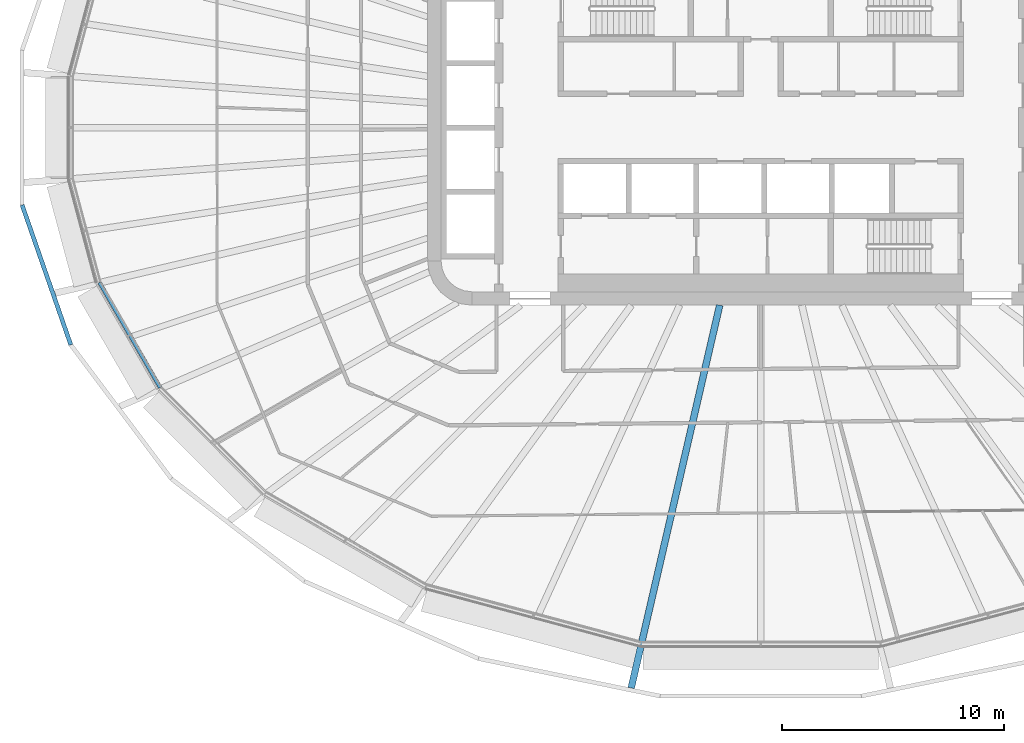
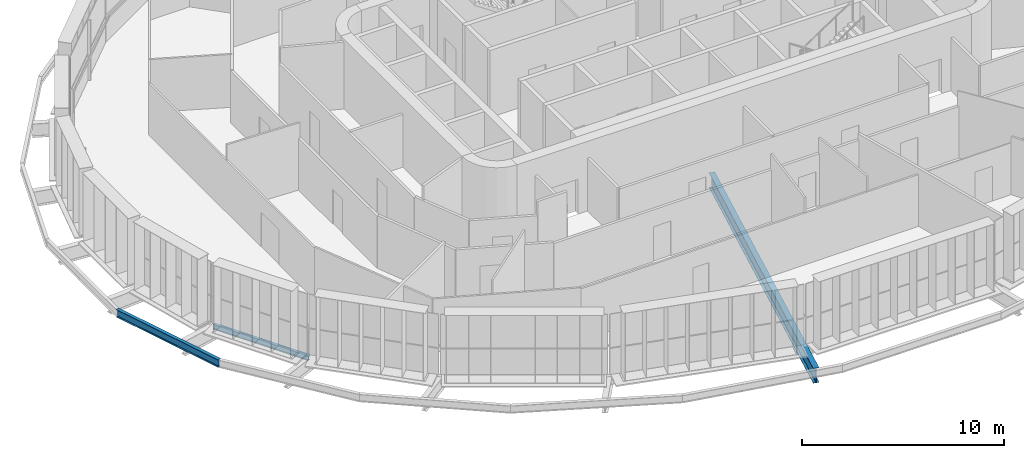
# One storey, part 2 of 24: 3 beams.
"""IFC4 building model written with IfcOpenShell, lengths in metres."""

import ifcopenshell
import ifcopenshell.guid

model = None  # the IFC model being written
_history = None  # IfcOwnerHistory: only IFC2X3 demands one
_inside = {}  # id of a spatial element -> (the spatial element, [elements in it])
_under = {}  # id of a project, library or spatial element -> (it, [spatial elements below it])
_declared = {}  # id of a project -> (the project, [libraries it declares])
_typed = {}  # id of a type object -> (the type object, [elements of that type])
_made_of = {}  # id of a material, layer set ... -> (it, [elements and type objects made of it])


def new_model(schema):
    """Start an empty IFC model of exactly this schema.

    Asked for "IFC4X3", IfcOpenShell would pick the latest addendum, in which some entities
    have other attributes; the version numbers below select the first issue.
    IFC2X3 requires an IfcOwnerHistory on every rooted entity: one is made here for all.
    """
    global model, _history
    if schema == "IFC4X3":
        model = ifcopenshell.file(schema_version=(4, 3, 0, 0))
    else:
        model = ifcopenshell.file(schema=schema)
    _inside.clear()
    _under.clear()
    _declared.clear()
    _typed.clear()
    _made_of.clear()
    _history = None
    if model.schema == "IFC2X3":
        org = make("IfcOrganization", Name="unknown")
        user = make(
            "IfcPersonAndOrganization",
            ThePerson=make("IfcPerson", FamilyName="unknown"),
            TheOrganization=org,
        )
        app = make(
            "IfcApplication",
            ApplicationDeveloper=org,
            Version="unknown",
            ApplicationFullName="unknown",
            ApplicationIdentifier="unknown",
        )
        _history = make(
            "IfcOwnerHistory",
            OwningUser=user,
            OwningApplication=app,
            ChangeAction="ADDED",
            CreationDate=0,
        )
    return model


def make(cls, **values):
    """One entity of the class cls with the attributes given. An attribute that is None is left unset."""
    return model.create_entity(
        cls, **{name: value for name, value in values.items() if value is not None}
    )


def rooted(cls, **values):
    """An entity with a GlobalId (a new one), such as an element, a storey or a relation."""
    return make(cls, GlobalId=ifcopenshell.guid.new(), OwnerHistory=_history, **values)


def si_unit(unit_type, name, prefix=None):
    """IfcSIUnit, for example si_unit("LENGTHUNIT", "METRE", prefix="MILLI")."""
    return make("IfcSIUnit", UnitType=unit_type, Prefix=prefix, Name=name)


def assignment(units):
    """IfcUnitAssignment: the units of a project."""
    return None if units is None else make("IfcUnitAssignment", Units=units)


def point(xyz):
    """IfcCartesianPoint."""
    return None if xyz is None else make("IfcCartesianPoint", Coordinates=xyz)


def direction(xyz):
    """IfcDirection."""
    return None if xyz is None else make("IfcDirection", DirectionRatios=xyz)


def frame(location, z_axis=None, x_axis=None):
    """IfcAxis2Placement3D, a coordinate frame: its origin and axes. An axis left out is left unset."""
    return make(
        "IfcAxis2Placement3D",
        Location=point(location),
        Axis=direction(z_axis),
        RefDirection=direction(x_axis),
    )


def frame_2d(location, x_axis=None):
    """IfcAxis2Placement2D, a coordinate frame in the plane: its origin and x axis."""
    return make(
        "IfcAxis2Placement2D", Location=point(location), RefDirection=direction(x_axis)
    )


def origin():
    """The frame at (0, 0, 0) with its axes left unset."""
    return frame((0.0, 0.0, 0.0))


def origin_2d():
    """The frame at (0, 0) in the plane with its x axis left unset."""
    return frame_2d((0.0, 0.0))


def place(relative_to, where):
    """IfcLocalPlacement: puts the frame where relative to a parent placement (None: the world)."""
    return make(
        "IfcLocalPlacement", PlacementRelTo=relative_to, RelativePlacement=where
    )


def context(
    kind, dimensions, precision=None, world=None, true_north=None, identifier=None
):
    """IfcGeometricRepresentationContext, for example the 3D "Model" context."""
    return make(
        "IfcGeometricRepresentationContext",
        ContextIdentifier=identifier,
        ContextType=kind,
        CoordinateSpaceDimension=dimensions,
        Precision=precision,
        WorldCoordinateSystem=world,
        TrueNorth=true_north,
    )


def subcontext(parent, identifier, kind, view, scale=None):
    """IfcGeometricRepresentationSubContext, for example "Body" below "Model"."""
    return make(
        "IfcGeometricRepresentationSubContext",
        ContextIdentifier=identifier,
        ContextType=kind,
        ParentContext=parent,
        TargetScale=scale,
        TargetView=view,
    )


def project(units=None, contexts=None):
    """IfcProject with its units and contexts."""
    return rooted(
        "IfcProject",
        Name="project",
        RepresentationContexts=contexts,
        UnitsInContext=assignment(units),
    )


def spatial(cls, under=None, at=None, **own):
    """A site, building, storey or space (cls), placed at a placement, below another one or the project."""
    s = rooted(cls, ObjectPlacement=at, **own)
    if under is not None:
        _under.setdefault(under.id(), (under, []))[1].append(s)
    return s


def profile(cls, at=None, kind="AREA", **sizes):
    """A parametric profile (cls). Its sizes go by their IFC names, for example OverallWidth=200.0."""
    return make(cls, ProfileType=kind, Position=at, **sizes)


def i_section(**sizes):
    """IfcIShapeProfileDef."""
    return profile("IfcIShapeProfileDef", **sizes)


def extrude(swept, where, along, depth):
    """IfcExtrudedAreaSolid: the profile swept, set in the frame where, extruded along a direction by depth."""
    return make(
        "IfcExtrudedAreaSolid",
        SweptArea=swept,
        Position=where,
        ExtrudedDirection=direction(along),
        Depth=depth,
    )


def shape(context_of_items, identifier, shape_type, items):
    """IfcShapeRepresentation: the items that make up one representation, for example the "Body"."""
    return make(
        "IfcShapeRepresentation",
        ContextOfItems=context_of_items,
        RepresentationIdentifier=identifier,
        RepresentationType=shape_type,
        Items=items,
    )


def material(Name=None, Category=None):
    """IfcMaterial."""
    return make("IfcMaterial", Name=Name, Category=Category)


def material_profile(
    of_material, cross_section, Name=None, Category=None, Priority=None
):
    """IfcMaterialProfile: a cross section and its material."""
    return make(
        "IfcMaterialProfile",
        Name=Name,
        Material=of_material,
        Profile=cross_section,
        Priority=Priority,
        Category=Category,
    )


def profile_set(profiles, Name=None, composite=None):
    """IfcMaterialProfileSet."""
    return make(
        "IfcMaterialProfileSet",
        Name=Name,
        MaterialProfiles=profiles,
        CompositeProfile=composite,
    )


def made_of(thing, what):
    """Note that an element or type object is made of a material, layer set ...; save() writes the relation."""
    if what is not None:
        _made_of.setdefault(what.id(), (what, []))[1].append(thing)
    return thing


def type_object(cls, material=None, **own):
    """A type object (cls), such as IfcWallType, which elements share."""
    return made_of(rooted(cls, **own), material)


def element(
    cls,
    number,
    at=None,
    inside=None,
    cuts=None,
    type_object=None,
    material=None,
    context=None,
    identifier="Body",
    shape_type=None,
    held_by="IfcProductDefinitionShape",
    body=None,
    shapes=None,
    **own,
):
    """One element of the class cls, such as IfcWall. Its Tag is "e" and its number.

    at: its placement. inside: the storey or other place that contains it. cuts: it is an
    opening in that element (IfcRelVoidsElement). A single representation is given by context,
    identifier, shape_type and body (its items); several are given by shapes. held_by: the class
    of the entity that holds the representations. save() writes the other relations.
    """
    e = rooted(cls, Tag="e%d" % number, ObjectPlacement=at, **own)
    if body is not None:
        shapes = [shape(context, identifier, shape_type, body)]
    if shapes is not None:
        e.Representation = make(held_by, Representations=shapes)
    if inside is not None:
        _inside.setdefault(inside.id(), (inside, []))[1].append(e)
    if cuts is not None:
        rooted(
            "IfcRelVoidsElement", RelatingBuildingElement=cuts, RelatedOpeningElement=e
        )
    if type_object is not None:
        _typed.setdefault(type_object.id(), (type_object, []))[1].append(e)
    return made_of(e, material)


def aggregate(whole, parts):
    """IfcRelAggregates: a whole, such as a stair, and the parts it consists of."""
    return rooted("IfcRelAggregates", RelatingObject=whole, RelatedObjects=parts)


def save(model, path):
    """Write the relations noted so far, then the file.

    IfcRelAggregates (storeys below a building ...), IfcRelContainedInSpatialStructure (elements
    in a storey), IfcRelDefinesByType, IfcRelAssociatesMaterial and IfcRelDeclares: one each for
    every whole, place, type object, material and project.
    """
    for whole, parts in _under.values():
        aggregate(whole, parts)
    for where, things in _inside.values():
        rooted(
            "IfcRelContainedInSpatialStructure",
            RelatedElements=things,
            RelatingStructure=where,
        )
    for kind, things in _typed.values():
        rooted("IfcRelDefinesByType", RelatedObjects=things, RelatingType=kind)
    for what, things in _made_of.values():
        rooted("IfcRelAssociatesMaterial", RelatedObjects=things, RelatingMaterial=what)
    for by, libraries in _declared.values():
        rooted("IfcRelDeclares", RelatingContext=by, RelatedDefinitions=libraries)
    model.write(path)


model = new_model("IFC4")

# Units and contexts
model_context = context("Model", 3, precision=1e-05, world=origin(), true_north=direction((0.0, 1.0)))
body_context = subcontext(model_context, "Body", "Model", "MODEL_VIEW")
ifc_project = project(units=[si_unit("LENGTHUNIT", "METRE"), si_unit("AREAUNIT", "SQUARE_METRE"), si_unit("VOLUMEUNIT", "CUBIC_METRE"), si_unit("PLANEANGLEUNIT", "RADIAN"), si_unit("MASSUNIT", "GRAM", prefix="KILO")], contexts=[model_context])

# Site, building, storey
site_placement = place(None, origin())
site = spatial("IfcSite", under=ifc_project, at=site_placement, CompositionType="ELEMENT")
building_placement = place(site_placement, origin())
building = spatial("IfcBuilding", under=site, at=building_placement, Name="Sahrelin Media Tower", CompositionType="ELEMENT")
storey_placement = place(building_placement, frame((0.0, 0.0, 71.39990234375)))
storey = spatial("IfcBuildingStorey", under=building, at=storey_placement, Name="L12", CompositionType="ELEMENT", Elevation=71.39990234375)

# Beams
ifc_material = material(Name="Steel S355", Category="steel")
ifc_material_profile_1 = material_profile(ifc_material, i_section(OverallWidth=0.1650390625, OverallDepth=0.303466796875, WebThickness=0.006103515625, FlangeThickness=0.01025390625, FilletRadius=0.0087890625, at=origin_2d()), Name="UB 305x165x40")
ifc_profile_set_1 = profile_set([ifc_material_profile_1], Name="Steel S355")
beam_type_1 = type_object("IfcBeamType", Name="Edge beam EB2", PredefinedType="BEAM", material=ifc_profile_set_1)
beam_1_placement = place(storey_placement, frame((-27.03759765625, -11.711181640625, -0.301513671875), z_axis=(-0.500000789788, 0.8660249478, 0.0), x_axis=(-0.8660249478, -0.500000789788, 0.0)))
element("IfcBeam", 1, at=beam_1_placement, inside=storey, type_object=beam_type_1, Name="Edge beam L12-10", PredefinedType="BEAM", context=body_context, shape_type="SweptSolid", body=[
    extrude(i_section(OverallWidth=0.1650390625, OverallDepth=0.303466796875, WebThickness=0.006103515625, FlangeThickness=0.01025390625, FilletRadius=0.0087890625, at=origin_2d()), origin(), (0.0, 0.0, 1.0), 5.466796875),
])
ifc_material_profile_2 = material_profile(ifc_material, i_section(OverallWidth=0.30322265625, OverallDepth=0.903076171875, WebThickness=0.01513671875, FlangeThickness=0.020263671875, FilletRadius=0.01904296875, at=origin_2d()), Name="UB 914x305x201")
ifc_profile_set_2 = profile_set([ifc_material_profile_2], Name="Steel S355")
beam_type_2 = type_object("IfcBeamType", Name="Radial primary beam PB11", PredefinedType="BEAM", material=ifc_profile_set_2)
beam_2_placement = place(storey_placement, frame((-1.849365234375, -8.0, -0.601318359375), z_axis=(-0.225244589699, -0.974302250234, 0.0), x_axis=(0.974302250234, -0.225244589699, 0.0)))
element("IfcBeam", 2, at=beam_2_placement, inside=storey, type_object=beam_type_2, Name="Radial beam L12-18", PredefinedType="BEAM", context=body_context, shape_type="SweptSolid", body=[
    extrude(i_section(OverallWidth=0.30322265625, OverallDepth=0.903076171875, WebThickness=0.01513671875, FlangeThickness=0.020263671875, FilletRadius=0.01904296875, at=origin_2d()), origin(), (0.0, 0.0, 1.0), 17.68701171875),
])
ifc_material_profile_3 = material_profile(ifc_material, i_section(OverallWidth=0.1904296875, OverallDepth=0.45703125, WebThickness=0.009033203125, FlangeThickness=0.014404296875, FilletRadius=0.01025390625, at=origin_2d()), Name="UB 457x191x74")
ifc_profile_set_3 = profile_set([ifc_material_profile_3], Name="Steel S355")
beam_type_3 = type_object("IfcBeamType", Name="Tie chord TC5", PredefinedType="BEAM", material=ifc_profile_set_3)
beam_3_placement = place(storey_placement, frame((-33.258056640625, -3.486083984375, -0.37841796875), z_axis=(0.328772095294, -0.944409291227, 0.0), x_axis=(0.944409291227, 0.328772095294, 0.0)))
element("IfcBeam", 3, at=beam_3_placement, inside=storey, type_object=beam_type_3, Name="Tie chord L12-13", PredefinedType="BEAM", context=body_context, shape_type="SweptSolid", body=[
    extrude(i_section(OverallWidth=0.1904296875, OverallDepth=0.45703125, WebThickness=0.009033203125, FlangeThickness=0.014404296875, FilletRadius=0.01025390625, at=origin_2d()), origin(), (0.0, 0.0, 1.0), 6.664794921875),
])

save(model, "model.ifc")
